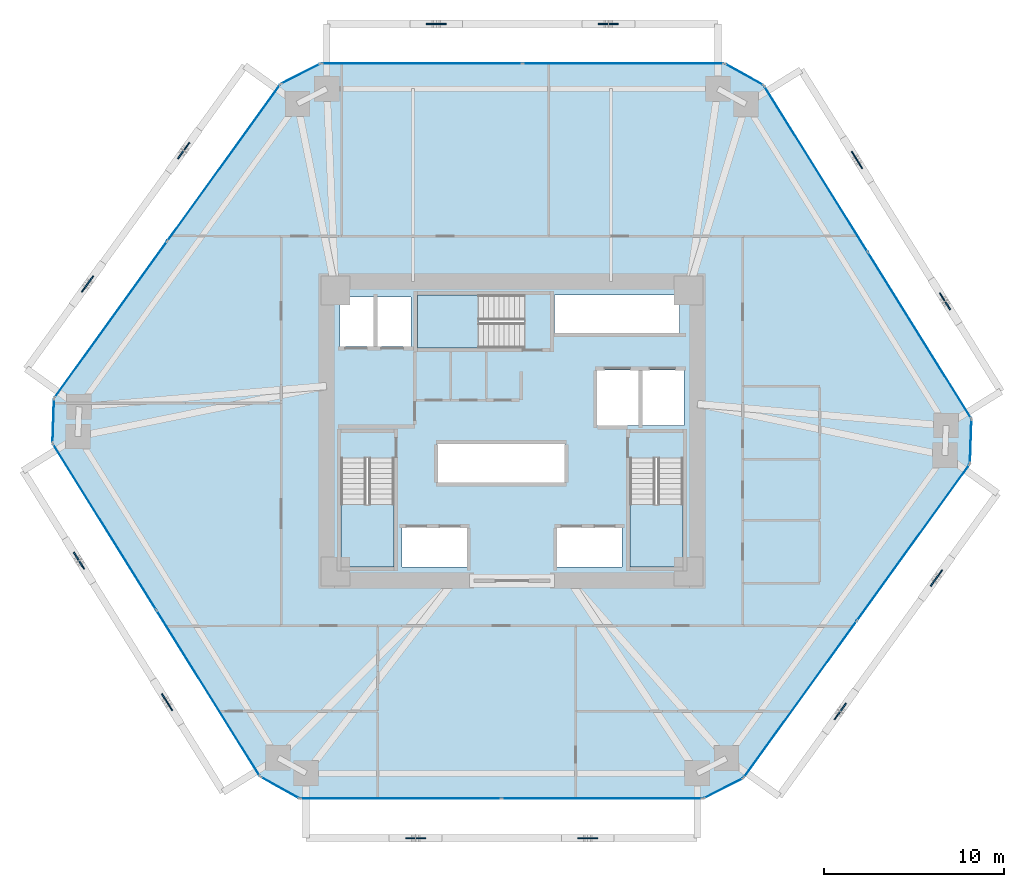
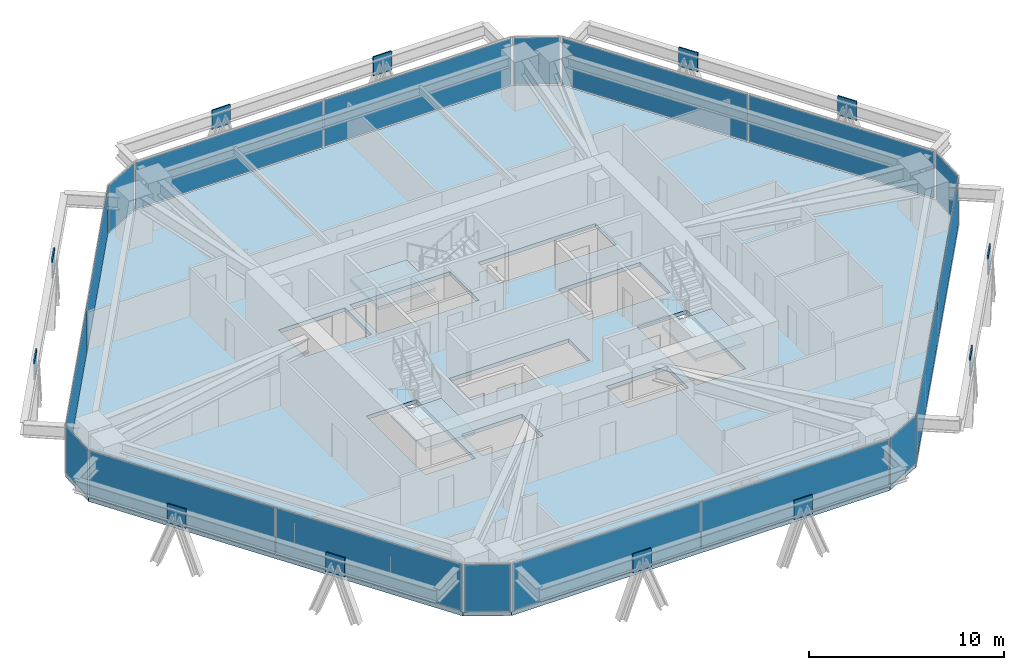
# One storey, part 10 of 17: 30 plates, 4 slabs, 15 elements without a shape of their own.
"""IFC4 building model written with IfcOpenShell, lengths in metres."""

from ifc_helpers import new_model, si_unit, direction, frame, origin, origin_2d, place, context, subcontext, project, spatial, polyline, rectangle, outline, extrude, source, transform, mapped, material, layer, layer_set, type_object, type_shapes, element, aggregate, save


model = new_model("IFC4")

# Units and contexts
model_context = context("Model", 3, precision=1e-05, world=origin(), true_north=direction((0.0, 1.0)))
body_context = subcontext(model_context, "Body", "Model", "MODEL_VIEW")
ifc_project = project(units=[si_unit("LENGTHUNIT", "METRE"), si_unit("AREAUNIT", "SQUARE_METRE"), si_unit("VOLUMEUNIT", "CUBIC_METRE"), si_unit("PLANEANGLEUNIT", "RADIAN"), si_unit("MASSUNIT", "GRAM", prefix="KILO")], contexts=[model_context])

# Site, building, storey
site_placement = place(None, origin())
site = spatial("IfcSite", under=ifc_project, at=site_placement, CompositionType="ELEMENT")
building_placement = place(site_placement, origin())
building = spatial("IfcBuilding", under=site, at=building_placement, Name="Durnholm Broadcast Tower", CompositionType="ELEMENT")
storey_placement = place(building_placement, frame((0.0, 0.0, 52.199951171875)))
storey = spatial("IfcBuildingStorey", under=building, at=storey_placement, Name="L12", CompositionType="ELEMENT", Elevation=52.199951171875)

# Slab
ifc_material_1 = material(Name="Concrete C50/60", Category="concrete")
ifc_layer_1 = layer(ifc_material_1, 0.239990234375)
ifc_layer_set_1 = layer_set([ifc_layer_1], Name="Concrete C50/60")
slab_type_1 = type_object("IfcSlabType", Name="SLAB-FLR-240", PredefinedType="FLOOR", material=ifc_layer_set_1)
slab_1_placement = place(storey_placement, frame((0.0, 0.0, -0.239990234375)))
element("IfcSlab", 1, at=slab_1_placement, inside=storey, type_object=slab_type_1, Name="L12 structural floor slab", PredefinedType="FLOOR", context=body_context, shape_type="SweptSolid", body=[
    extrude(outline(polyline([(-13.9794921875, -19.186279296875), (-11.793701171875, -20.39990234375), (10.6201171875, -20.39990234375), (12.845703125, -19.260986328125), (25.419921875, -1.820556640625), (25.50439453125, 0.677978515625), (13.9794921875, 19.186279296875), (11.793701171875, 20.39990234375), (-10.6201171875, 20.39990234375), (-12.845703125, 19.260986328125), (-25.419921875, 1.820556640625), (-25.50439453125, -0.677978515625), (-13.9794921875, -19.186279296875)]), holes=[polyline([(-2.5, -5.35009765625), (-6.10009765625, -5.35009765625), (-6.10009765625, -7.550048828125), (-2.5, -7.550048828125), (-2.5, -5.35009765625)]), polyline([(6.10009765625, -5.35009765625), (2.5, -5.35009765625), (2.5, -7.550048828125), (6.10009765625, -7.550048828125), (6.10009765625, -5.35009765625)]), polyline([(-6.5400390625, -7.550048828125), (-6.5400390625, -1.5), (-9.5, -1.5), (-9.5, -7.550048828125), (-6.5400390625, -7.550048828125)]), polyline([(9.5, -7.550048828125), (9.5, -1.5), (6.5400390625, -1.5), (6.5400390625, -7.550048828125), (9.5, -7.550048828125)]), polyline([(2.949951171875, -0.699951171875), (-4.14990234375, -0.699951171875), (-4.14990234375, -2.89990234375), (2.949951171875, -2.89990234375), (2.949951171875, -0.699951171875)]), polyline([(9.550048828125, 3.39990234375), (4.699951171875, 3.39990234375), (4.699951171875, 0.300048828125), (9.550048828125, 0.300048828125), (9.550048828125, 3.39990234375)]), polyline([(-5.60009765625, 7.449951171875), (-9.550048828125, 7.449951171875), (-9.550048828125, 4.699951171875), (-5.60009765625, 4.699951171875), (-5.60009765625, 7.449951171875)]), polyline([(-5.25, 7.56005859375), (-5.25, 4.60009765625), (0.699951171875, 4.60009765625), (0.699951171875, 7.56005859375), (-5.25, 7.56005859375)]), polyline([(9.31005859375, 5.39990234375), (9.31005859375, 7.550048828125), (2.35009765625, 7.550048828125), (2.35009765625, 5.39990234375), (9.31005859375, 5.39990234375)])]), origin(), (0.0, 0.0, 1.0), 0.239990234375),
])

# Stair, slab
stair_type = type_object("IfcStairType", Name="STAIR-DL-20R1650", PredefinedType="HALF_TURN_STAIR", material=ifc_material_1)
stair_1_placement = place(storey_placement, origin())
stair_1 = element("IfcStair", 2, at=stair_1_placement, inside=storey, type_object=stair_type, Name="L12 ST-1", PredefinedType="HALF_TURN_STAIR")
ifc_layer_2 = layer(ifc_material_1, 0.199951171875)
ifc_layer_set_2 = layer_set([ifc_layer_2], Name="Concrete C50/60")
slab_type_2 = type_object("IfcSlabType", Name="SLAB-LND-200", PredefinedType="LANDING", material=ifc_layer_set_2)
slab_2_placement = place(storey_placement, frame((0.0, 0.0, 1.449951171875)))
slab_2 = element("IfcSlab", 3, at=slab_2_placement, type_object=slab_type_2, Name="ST-1 landing 1", PredefinedType="LANDING", context=body_context, shape_type="SweptSolid", body=[
    extrude(outline(polyline([(-9.5, -4.06494140625), (-9.5, -7.550048828125), (-6.5400390625, -7.550048828125), (-6.5400390625, -4.06494140625), (-9.5, -4.06494140625)])), origin(), (0.0, 0.0, 1.0), 0.2001953125),
])
aggregate(stair_1, [slab_2])

stair_2_placement = place(storey_placement, origin())
stair_2 = element("IfcStair", 4, at=stair_2_placement, inside=storey, type_object=stair_type, Name="L12 ST-2", PredefinedType="HALF_TURN_STAIR")
slab_3_placement = place(storey_placement, frame((0.0, 0.0, 1.449951171875)))
slab_3 = element("IfcSlab", 5, at=slab_3_placement, type_object=slab_type_2, Name="ST-2 landing 1", PredefinedType="LANDING", context=body_context, shape_type="SweptSolid", body=[
    extrude(outline(polyline([(6.5400390625, -4.06494140625), (6.5400390625, -7.550048828125), (9.5, -7.550048828125), (9.5, -4.06494140625), (6.5400390625, -4.06494140625)])), origin(), (0.0, 0.0, 1.0), 0.2001953125),
])
aggregate(stair_2, [slab_3])

stair_3_placement = place(storey_placement, origin())
stair_3 = element("IfcStair", 6, at=stair_3_placement, inside=storey, type_object=stair_type, Name="L12 ST-3", PredefinedType="HALF_TURN_STAIR")
slab_4_placement = place(storey_placement, frame((0.0, 0.0, 1.449951171875)))
slab_4 = element("IfcSlab", 7, at=slab_4_placement, type_object=slab_type_2, Name="ST-3 landing 1", PredefinedType="LANDING", context=body_context, shape_type="SweptSolid", body=[
    extrude(outline(polyline([(-1.864990234375, 7.56005859375), (-5.25, 7.56005859375), (-5.25, 4.60009765625), (-1.864990234375, 4.60009765625), (-1.864990234375, 7.56005859375)])), origin(), (0.0, 0.0, 1.0), 0.2001953125),
])
aggregate(stair_3, [slab_4])

# Plates
ifc_material_2 = material(Name="Steel ASTM A572 Grade 50", Category="steel")
ifc_layer_3 = layer(ifc_material_2, 0.074951171875)
ifc_layer_set_3 = layer_set([ifc_layer_3], Name="Steel ASTM A572 Grade 50")
plate_type_1 = type_object("IfcPlateType", Name="PLT-KN03-GUS", PredefinedType="USERDEFINED", material=ifc_layer_set_3)
shared_shape_1 = source(origin(), body_context, "Body", "SweptSolid", [
    extrude(rectangle(XDim=1.10009765625, YDim=0.074951171875, at=origin_2d()), origin(), (0.0, 0.0, 1.0), 1.199951171875),
])
type_shapes(plate_type_1, [shared_shape_1])
for number, where, z_axis, x_axis, name in (
    (8, (-5.351318359375, -22.60009765625, 1.70849609375), (0.0, 0.0, 1.0), (1.0, 0.0, 0.0), "L12 welded diagrid node gusset plate KN03 F1"),
    (9, (4.202880859375, -22.60009765625, 1.70849609375), (0.0, 0.0, 1.0), (1.0, 0.0, 0.0), "L12 welded diagrid node gusset plate KN03 F1"),
    (10, (18.223388671875, -15.56396484375, 1.70849609375), (0.0, 0.0, 1.0), (0.584816108738, 0.81116590101, 0.0), "L12 welded diagrid node gusset plate KN03 F2"),
    (11, (23.5595703125, -8.16259765625, 1.70849609375), (0.0, 0.0, 1.0), (0.584816108738, 0.81116590101, 0.0), "L12 welded diagrid node gusset plate KN03 F2"),
    (12, (24.036376953125, 7.197509765625, 1.70849609375), (0.0, 0.0, 1.0), (-0.528586500185, 0.848879444811, 0.0), "L12 welded diagrid node gusset plate KN03 F3"),
    (13, (19.14892578125, 15.04638671875, 1.70849609375), (0.0, 0.0, 1.0), (-0.528586500185, 0.848879444811, 0.0), "L12 welded diagrid node gusset plate KN03 F3"),
    (14, (5.351318359375, 22.60009765625, 1.70849609375), (0.0, 0.0, 1.0), (-1.0, 0.0, 0.0), "L12 welded diagrid node gusset plate KN03 F4"),
    (15, (-4.202880859375, 22.60009765625, 1.70849609375), (0.0, 0.0, 1.0), (-1.0, 0.0, 0.0), "L12 welded diagrid node gusset plate KN03 F4"),
    (16, (-18.223388671875, 15.56396484375, 1.70849609375), (0.0, 0.0, 1.0), (-0.584816108738, -0.81116590101, 0.0), "L12 welded diagrid node gusset plate KN03 F5"),
    (17, (-23.5595703125, 8.16259765625, 1.70849609375), (0.0, 0.0, 1.0), (-0.584816108738, -0.81116590101, 0.0), "L12 welded diagrid node gusset plate KN03 F5"),
    (18, (-24.036376953125, -7.197509765625, 1.70849609375), (0.0, 0.0, 1.0), (0.528586500185, -0.848879444811, 0.0), "L12 welded diagrid node gusset plate KN03 F6"),
    (19, (-19.14892578125, -15.04638671875, 1.70849609375), (0.0, 0.0, 1.0), (0.528586500185, -0.848879444811, 0.0), "L12 welded diagrid node gusset plate KN03 F6"),
):
    element("IfcPlate", number, at=place(storey_placement, frame(where, z_axis=z_axis, x_axis=x_axis)), inside=storey, type_object=plate_type_1, Name=name, ObjectType="GUSSET_PLATE", PredefinedType="USERDEFINED", context=body_context, shape_type="MappedRepresentation", body=[
        mapped(shared_shape_1, transform((0.0, 0.0, 0.0), x_axis=(1.0, 0.0, 0.0), y_axis=(0.0, 1.0, 0.0), z_axis=(0.0, 0.0, 1.0), scale=1.0)),
    ])

# Curtain wall, plate
ifc_material_3 = material(Name="Aluminium and Solar Control IGU", Category="aluminium")
ifc_layer_4 = layer(ifc_material_3, 0.1650390625)
ifc_layer_set_4 = layer_set([ifc_layer_4], Name="Aluminium and Solar Control IGU")
curtain_wall_type_1 = type_object("IfcCurtainWallType", Name="CW-SYS-5", PredefinedType="NOTDEFINED", material=ifc_layer_set_4)
curtain_wall_1_placement = place(storey_placement, origin())
curtain_wall_1 = element("IfcCurtainWall", 20, at=curtain_wall_1_placement, inside=storey, type_object=curtain_wall_type_1, Name="L12 curtain wall CW-CORNER CW-L12-CRN-01", PredefinedType="NOTDEFINED")
ifc_material_4 = material(Name="Low-E Laminated Insulating Glass", Category="glass")
ifc_layer_5 = layer(ifc_material_4, 0.030029296875)
ifc_layer_set_5 = layer_set([ifc_layer_5], Name="Low-E Laminated Insulating Glass")
plate_type_2 = type_object("IfcPlateType", Name="CW-SYS-5-PNL", PredefinedType="CURTAIN_PANEL", material=ifc_layer_set_5)
shared_shape_2 = source(origin(), body_context, "Body", "SweptSolid", [
    extrude(rectangle(XDim=2.3701171875, YDim=0.030029296875, at=origin_2d()), origin(), (0.0, 0.0, 1.0), 2.929931640625),
])
plate_1_placement = place(storey_placement, frame((-25.462158203125, 0.5712890625, 0.06494140625), z_axis=(0.0, 0.0, 1.0), x_axis=(0.033839569233, 0.999427277772, 0.0)))
plate_1 = element("IfcPlate", 21, at=plate_1_placement, type_object=plate_type_2, Name="CW-CORNER panel 1.1", PredefinedType="CURTAIN_PANEL", context=body_context, shape_type="MappedRepresentation", body=[
    mapped(shared_shape_2, transform((0.0, 0.0, 0.0), x_axis=(1.0, 0.0, 0.0), y_axis=(0.0, 1.0, 0.0), z_axis=(0.0, 0.0, 1.0), scale=1.0)),
])
aggregate(curtain_wall_1, [plate_1])

curtain_wall_2_placement = place(storey_placement, origin())
curtain_wall_2 = element("IfcCurtainWall", 22, at=curtain_wall_2_placement, inside=storey, type_object=curtain_wall_type_1, Name="L12 curtain wall CW-CORNER CW-L12-CRN-03", PredefinedType="NOTDEFINED")
plate_2_placement = place(storey_placement, frame((-11.73291015625, 19.83056640625, 0.06494140625), z_axis=(0.0, 0.0, 1.0), x_axis=(0.890187804512, 0.455593758406, 0.0)))
plate_2 = element("IfcPlate", 23, at=plate_2_placement, type_object=plate_type_2, Name="CW-CORNER panel 1.1", PredefinedType="CURTAIN_PANEL", context=body_context, shape_type="MappedRepresentation", body=[
    mapped(shared_shape_2, transform((0.0, 0.0, 0.0), x_axis=(1.0, 0.0, 0.0), y_axis=(0.0, 1.0, 0.0), z_axis=(0.0, 0.0, 1.0), scale=1.0)),
])
aggregate(curtain_wall_2, [plate_2])

curtain_wall_3_placement = place(storey_placement, origin())
curtain_wall_3 = element("IfcCurtainWall", 24, at=curtain_wall_3_placement, inside=storey, type_object=curtain_wall_type_1, Name="L12 curtain wall CW-CORNER CW-L12-CRN-07", PredefinedType="NOTDEFINED")
plate_3_placement = place(storey_placement, frame((25.462158203125, -0.5712890625, 0.06494140625), z_axis=(0.0, 0.0, 1.0), x_axis=(-0.033839569233, -0.999427277772, 0.0)))
plate_3 = element("IfcPlate", 25, at=plate_3_placement, type_object=plate_type_2, Name="CW-CORNER panel 1.1", PredefinedType="CURTAIN_PANEL", context=body_context, shape_type="MappedRepresentation", body=[
    mapped(shared_shape_2, transform((0.0, 0.0, 0.0), x_axis=(1.0, 0.0, 0.0), y_axis=(0.0, 1.0, 0.0), z_axis=(0.0, 0.0, 1.0), scale=1.0)),
])
aggregate(curtain_wall_3, [plate_3])

curtain_wall_4_placement = place(storey_placement, origin())
curtain_wall_4 = element("IfcCurtainWall", 26, at=curtain_wall_4_placement, inside=storey, type_object=curtain_wall_type_1, Name="L12 curtain wall CW-CORNER CW-L12-CRN-09", PredefinedType="NOTDEFINED")
plate_4_placement = place(storey_placement, frame((11.73291015625, -19.83056640625, 0.06494140625), z_axis=(0.0, 0.0, 1.0), x_axis=(-0.890187804512, -0.455593758406, 0.0)))
plate_4 = element("IfcPlate", 27, at=plate_4_placement, type_object=plate_type_2, Name="CW-CORNER panel 1.1", PredefinedType="CURTAIN_PANEL", context=body_context, shape_type="MappedRepresentation", body=[
    mapped(shared_shape_2, transform((0.0, 0.0, 0.0), x_axis=(1.0, 0.0, 0.0), y_axis=(0.0, 1.0, 0.0), z_axis=(0.0, 0.0, 1.0), scale=1.0)),
])
aggregate(curtain_wall_4, [plate_4])

# Curtain wall, plates
ifc_layer_6 = layer(ifc_material_3, 0.18994140625)
ifc_layer_set_6 = layer_set([ifc_layer_6], Name="Aluminium and Solar Control IGU")
curtain_wall_type_2 = type_object("IfcCurtainWallType", Name="CW-SYS-3", PredefinedType="NOTDEFINED", material=ifc_layer_set_6)
curtain_wall_5_placement = place(storey_placement, origin())
curtain_wall_5 = element("IfcCurtainWall", 28, at=curtain_wall_5_placement, inside=storey, type_object=curtain_wall_type_2, Name="L12 curtain wall CW-Z12-VIS CW-L12-F02", PredefinedType="NOTDEFINED")
ifc_layer_7 = layer(ifc_material_4, 0.031982421875)
ifc_layer_set_7 = layer_set([ifc_layer_7], Name="Low-E Laminated Insulating Glass")
plate_type_3 = type_object("IfcPlateType", Name="CW-SYS-3-PNL", PredefinedType="CURTAIN_PANEL", material=ifc_layer_set_7)
shared_shape_3 = source(origin(), body_context, "Body", "SweptSolid", [
    extrude(rectangle(XDim=10.645263671875, YDim=0.031982421875, at=origin_2d()), origin(), (0.0, 0.0, 1.0), 2.919921875),
])
plate_5_placement = place(storey_placement, frame((-22.26611328125, 6.19482421875, 0.070068359375), z_axis=(0.0, 0.0, 1.0), x_axis=(0.584823496176, 0.81116057493, 0.0)))
plate_5 = element("IfcPlate", 29, at=plate_5_placement, type_object=plate_type_3, Name="CW-Z12-VIS panel 1.1", PredefinedType="CURTAIN_PANEL", context=body_context, shape_type="MappedRepresentation", body=[
    mapped(shared_shape_3, transform((0.0, 0.0, 0.0), x_axis=(1.0, 0.0, 0.0), y_axis=(0.0, 1.0, 0.0), z_axis=(0.0, 0.0, 1.0), scale=1.0)),
])
plate_6_placement = place(storey_placement, frame((-15.99951171875, 14.88671875, 0.070068359375), z_axis=(0.0, 0.0, 1.0), x_axis=(0.584823496176, 0.81116057493, 0.0)))
plate_6 = element("IfcPlate", 30, at=plate_6_placement, type_object=plate_type_3, Name="CW-Z12-VIS panel 2.1", PredefinedType="CURTAIN_PANEL", context=body_context, shape_type="MappedRepresentation", body=[
    mapped(shared_shape_3, transform((0.0, 0.0, 0.0), x_axis=(1.0, 0.0, 0.0), y_axis=(0.0, 1.0, 0.0), z_axis=(0.0, 0.0, 1.0), scale=1.0)),
])
aggregate(curtain_wall_5, [plate_5, plate_6])

curtain_wall_6_placement = place(storey_placement, origin())
curtain_wall_6 = element("IfcCurtainWall", 31, at=curtain_wall_6_placement, inside=storey, type_object=curtain_wall_type_2, Name="L12 curtain wall CW-Z12-VIS CW-L12-F08", PredefinedType="NOTDEFINED")
plate_7_placement = place(storey_placement, frame((22.26611328125, -6.19482421875, 0.070068359375), z_axis=(0.0, 0.0, 1.0), x_axis=(-0.584823496176, -0.81116057493, 0.0)))
plate_7 = element("IfcPlate", 32, at=plate_7_placement, type_object=plate_type_3, Name="CW-Z12-VIS panel 1.1", PredefinedType="CURTAIN_PANEL", context=body_context, shape_type="MappedRepresentation", body=[
    mapped(shared_shape_3, transform((0.0, 0.0, 0.0), x_axis=(1.0, 0.0, 0.0), y_axis=(0.0, 1.0, 0.0), z_axis=(0.0, 0.0, 1.0), scale=1.0)),
])
plate_8_placement = place(storey_placement, frame((15.99951171875, -14.88671875, 0.070068359375), z_axis=(0.0, 0.0, 1.0), x_axis=(-0.584823496176, -0.81116057493, 0.0)))
plate_8 = element("IfcPlate", 33, at=plate_8_placement, type_object=plate_type_3, Name="CW-Z12-VIS panel 2.1", PredefinedType="CURTAIN_PANEL", context=body_context, shape_type="MappedRepresentation", body=[
    mapped(shared_shape_3, transform((0.0, 0.0, 0.0), x_axis=(1.0, 0.0, 0.0), y_axis=(0.0, 1.0, 0.0), z_axis=(0.0, 0.0, 1.0), scale=1.0)),
])
aggregate(curtain_wall_6, [plate_7, plate_8])

# Curtain wall, plate
curtain_wall_7_placement = place(storey_placement, origin())
curtain_wall_7 = element("IfcCurtainWall", 34, at=curtain_wall_7_placement, inside=storey, type_object=curtain_wall_type_1, Name="L12 curtain wall CW-CORNER CW-L12-CRN-05", PredefinedType="NOTDEFINED")
shared_shape_4 = source(origin(), body_context, "Body", "SweptSolid", [
    extrude(rectangle(XDim=2.369873046875, YDim=0.030029296875, at=origin_2d()), origin(), (0.0, 0.0, 1.0), 2.929931640625),
])
type_shapes(plate_type_2, [shared_shape_2, shared_shape_4])
plate_9_placement = place(storey_placement, frame((12.88671875, 19.793212890625, 0.06494140625), z_axis=(0.0, 0.0, 1.0), x_axis=(0.874245941394, -0.485483299359, 0.0)))
plate_9 = element("IfcPlate", 35, at=plate_9_placement, type_object=plate_type_2, Name="CW-CORNER panel 1.1", PredefinedType="CURTAIN_PANEL", context=body_context, shape_type="MappedRepresentation", body=[
    mapped(shared_shape_4, transform((0.0, 0.0, 0.0), x_axis=(1.0, 0.0, 0.0), y_axis=(0.0, 1.0, 0.0), z_axis=(0.0, 0.0, 1.0), scale=1.0)),
])
aggregate(curtain_wall_7, [plate_9])

curtain_wall_8_placement = place(storey_placement, origin())
curtain_wall_8 = element("IfcCurtainWall", 36, at=curtain_wall_8_placement, inside=storey, type_object=curtain_wall_type_1, Name="L12 curtain wall CW-CORNER CW-L12-CRN-11", PredefinedType="NOTDEFINED")
plate_10_placement = place(storey_placement, frame((-12.88671875, -19.793212890625, 0.06494140625), z_axis=(0.0, 0.0, 1.0), x_axis=(-0.874245941394, 0.485483299359, 0.0)))
plate_10 = element("IfcPlate", 37, at=plate_10_placement, type_object=plate_type_2, Name="CW-CORNER panel 1.1", PredefinedType="CURTAIN_PANEL", context=body_context, shape_type="MappedRepresentation", body=[
    mapped(shared_shape_4, transform((0.0, 0.0, 0.0), x_axis=(1.0, 0.0, 0.0), y_axis=(0.0, 1.0, 0.0), z_axis=(0.0, 0.0, 1.0), scale=1.0)),
])
aggregate(curtain_wall_8, [plate_10])

# Curtain wall, plates
curtain_wall_9_placement = place(storey_placement, origin())
curtain_wall_9 = element("IfcCurtainWall", 38, at=curtain_wall_9_placement, inside=storey, type_object=curtain_wall_type_2, Name="L12 curtain wall CW-Z12-VIS CW-L12-F06", PredefinedType="NOTDEFINED")
shared_shape_5 = source(origin(), body_context, "Body", "SweptSolid", [
    extrude(rectangle(XDim=10.796630859375, YDim=0.031982421875, at=origin_2d()), origin(), (0.0, 0.0, 1.0), 2.919921875),
])
plate_11_placement = place(storey_placement, frame((16.869873046875, 14.54443359375, 0.070068359375), z_axis=(0.0, 0.0, 1.0), x_axis=(0.528592376777, -0.848875785503, 0.0)))
plate_11 = element("IfcPlate", 39, at=plate_11_placement, type_object=plate_type_3, Name="CW-Z12-VIS panel 1.1", PredefinedType="CURTAIN_PANEL", context=body_context, shape_type="MappedRepresentation", body=[
    mapped(shared_shape_5, transform((0.0, 0.0, 0.0), x_axis=(1.0, 0.0, 0.0), y_axis=(0.0, 1.0, 0.0), z_axis=(0.0, 0.0, 1.0), scale=1.0)),
])
plate_12_placement = place(storey_placement, frame((22.614013671875, 5.320068359375, 0.070068359375), z_axis=(0.0, 0.0, 1.0), x_axis=(0.528592376777, -0.848875785503, 0.0)))
plate_12 = element("IfcPlate", 40, at=plate_12_placement, type_object=plate_type_3, Name="CW-Z12-VIS panel 2.1", PredefinedType="CURTAIN_PANEL", context=body_context, shape_type="MappedRepresentation", body=[
    mapped(shared_shape_5, transform((0.0, 0.0, 0.0), x_axis=(1.0, 0.0, 0.0), y_axis=(0.0, 1.0, 0.0), z_axis=(0.0, 0.0, 1.0), scale=1.0)),
])
aggregate(curtain_wall_9, [plate_11, plate_12])

curtain_wall_10_placement = place(storey_placement, origin())
curtain_wall_10 = element("IfcCurtainWall", 41, at=curtain_wall_10_placement, inside=storey, type_object=curtain_wall_type_2, Name="L12 curtain wall CW-Z12-VIS CW-L12-F12", PredefinedType="NOTDEFINED")
plate_13_placement = place(storey_placement, frame((-16.869873046875, -14.54443359375, 0.070068359375), z_axis=(0.0, 0.0, 1.0), x_axis=(-0.528592376777, 0.848875785503, 0.0)))
plate_13 = element("IfcPlate", 42, at=plate_13_placement, type_object=plate_type_3, Name="CW-Z12-VIS panel 1.1", PredefinedType="CURTAIN_PANEL", context=body_context, shape_type="MappedRepresentation", body=[
    mapped(shared_shape_5, transform((0.0, 0.0, 0.0), x_axis=(1.0, 0.0, 0.0), y_axis=(0.0, 1.0, 0.0), z_axis=(0.0, 0.0, 1.0), scale=1.0)),
])
plate_14_placement = place(storey_placement, frame((-22.614013671875, -5.320068359375, 0.070068359375), z_axis=(0.0, 0.0, 1.0), x_axis=(-0.528592376777, 0.848875785503, 0.0)))
plate_14 = element("IfcPlate", 43, at=plate_14_placement, type_object=plate_type_3, Name="CW-Z12-VIS panel 2.1", PredefinedType="CURTAIN_PANEL", context=body_context, shape_type="MappedRepresentation", body=[
    mapped(shared_shape_5, transform((0.0, 0.0, 0.0), x_axis=(1.0, 0.0, 0.0), y_axis=(0.0, 1.0, 0.0), z_axis=(0.0, 0.0, 1.0), scale=1.0)),
])
aggregate(curtain_wall_10, [plate_13, plate_14])

curtain_wall_11_placement = place(storey_placement, origin())
curtain_wall_11 = element("IfcCurtainWall", 44, at=curtain_wall_11_placement, inside=storey, type_object=curtain_wall_type_2, Name="L12 curtain wall CW-Z12-VIS CW-L12-F04", PredefinedType="NOTDEFINED")
shared_shape_6 = source(origin(), body_context, "Body", "SweptSolid", [
    extrude(rectangle(XDim=11.10205078125, YDim=0.031982421875, at=origin_2d()), origin(), (0.0, 0.0, 1.0), 2.919921875),
])
type_shapes(plate_type_3, [shared_shape_3, shared_shape_5, shared_shape_6])
plate_15_placement = place(storey_placement, frame((-4.999267578125, 20.39990234375, 0.070068359375), z_axis=(0.0, 0.0, 1.0), x_axis=(1.0, 0.0, 0.0)))
plate_15 = element("IfcPlate", 45, at=plate_15_placement, type_object=plate_type_3, Name="CW-Z12-VIS panel 1.1", PredefinedType="CURTAIN_PANEL", context=body_context, shape_type="MappedRepresentation", body=[
    mapped(shared_shape_6, transform((0.0, 0.0, 0.0), x_axis=(1.0, 0.0, 0.0), y_axis=(0.0, 1.0, 0.0), z_axis=(0.0, 0.0, 1.0), scale=1.0)),
])
plate_16_placement = place(storey_placement, frame((6.1728515625, 20.39990234375, 0.070068359375), z_axis=(0.0, 0.0, 1.0), x_axis=(1.0, 0.0, 0.0)))
plate_16 = element("IfcPlate", 46, at=plate_16_placement, type_object=plate_type_3, Name="CW-Z12-VIS panel 2.1", PredefinedType="CURTAIN_PANEL", context=body_context, shape_type="MappedRepresentation", body=[
    mapped(shared_shape_6, transform((0.0, 0.0, 0.0), x_axis=(1.0, 0.0, 0.0), y_axis=(0.0, 1.0, 0.0), z_axis=(0.0, 0.0, 1.0), scale=1.0)),
])
aggregate(curtain_wall_11, [plate_15, plate_16])

curtain_wall_12_placement = place(storey_placement, origin())
curtain_wall_12 = element("IfcCurtainWall", 47, at=curtain_wall_12_placement, inside=storey, type_object=curtain_wall_type_2, Name="L12 curtain wall CW-Z12-VIS CW-L12-F10", PredefinedType="NOTDEFINED")
plate_17_placement = place(storey_placement, frame((4.999267578125, -20.39990234375, 0.070068359375), z_axis=(0.0, 0.0, 1.0), x_axis=(-1.0, 0.0, 0.0)))
plate_17 = element("IfcPlate", 48, at=plate_17_placement, type_object=plate_type_3, Name="CW-Z12-VIS panel 1.1", PredefinedType="CURTAIN_PANEL", context=body_context, shape_type="MappedRepresentation", body=[
    mapped(shared_shape_6, transform((0.0, 0.0, 0.0), x_axis=(1.0, 0.0, 0.0), y_axis=(0.0, 1.0, 0.0), z_axis=(0.0, 0.0, 1.0), scale=1.0)),
])
plate_18_placement = place(storey_placement, frame((-6.1728515625, -20.39990234375, 0.070068359375), z_axis=(0.0, 0.0, 1.0), x_axis=(-1.0, 0.0, 0.0)))
plate_18 = element("IfcPlate", 49, at=plate_18_placement, type_object=plate_type_3, Name="CW-Z12-VIS panel 2.1", PredefinedType="CURTAIN_PANEL", context=body_context, shape_type="MappedRepresentation", body=[
    mapped(shared_shape_6, transform((0.0, 0.0, 0.0), x_axis=(1.0, 0.0, 0.0), y_axis=(0.0, 1.0, 0.0), z_axis=(0.0, 0.0, 1.0), scale=1.0)),
])
aggregate(curtain_wall_12, [plate_17, plate_18])

save(model, "model.ifc")
